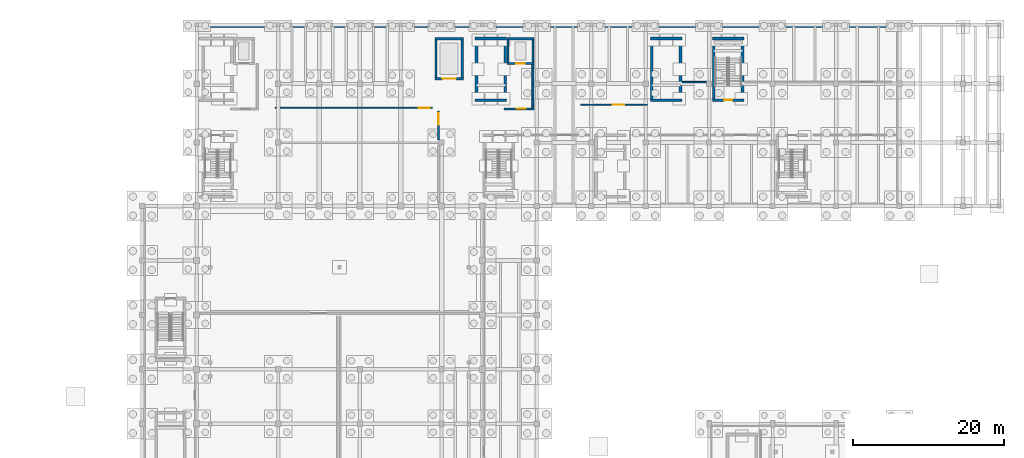
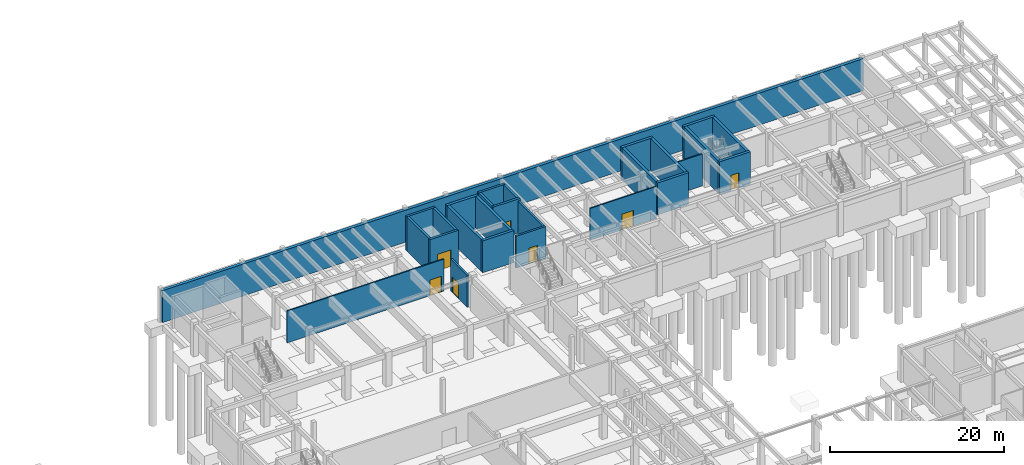
# One storey, part 30 of 46: 27 walls, 7 doors, 7 openings.
"""IFC4 building model written with IfcOpenShell, lengths in metres."""

from ifc_helpers import new_model, si_unit, direction, frame, frame_2d, origin, place, context, subcontext, project, spatial, rectangle, extrude, material, layer, layer_set, type_object, element, fill, save


model = new_model("IFC4")

# Units and contexts
model_context = context("Model", 3, precision=1e-05, world=origin(), true_north=direction((0.0, 1.0)))
body_context = subcontext(model_context, "Body", "Model", "MODEL_VIEW")
ifc_project = project(units=[si_unit("LENGTHUNIT", "METRE"), si_unit("AREAUNIT", "SQUARE_METRE"), si_unit("VOLUMEUNIT", "CUBIC_METRE"), si_unit("PLANEANGLEUNIT", "RADIAN"), si_unit("MASSUNIT", "GRAM", prefix="KILO")], contexts=[model_context])

# Site, building, storey
site_placement = place(None, origin())
site = spatial("IfcSite", under=ifc_project, at=site_placement, CompositionType="ELEMENT")
building_placement = place(site_placement, origin())
building = spatial("IfcBuilding", under=site, at=building_placement, Name="Tazoul Stagehouse", CompositionType="ELEMENT")
storey_placement = place(building_placement, frame((0.0, 0.0, -4.800048828125)))
storey = spatial("IfcBuildingStorey", under=building, at=storey_placement, Name="B1", CompositionType="ELEMENT", Elevation=-4.800048828125)

# Wall, opening, door
ifc_material_1 = material(Name="Gypsum Acoustic Partition", Category="gypsum")
ifc_layer_1 = layer(ifc_material_1, 0.25, Name="Gypsum Acoustic Partition")
ifc_layer_set_1 = layer_set([ifc_layer_1], Name="Gypsum Acoustic Partition")
wall_type_1 = type_object("IfcWallType", Name="Acoustic Hall Double-Stud Partition 250", PredefinedType="PARTITIONING", material=ifc_layer_set_1)
wall_1_placement = place(storey_placement, frame((89.60009765625, 100.39990234375, 0.0), z_axis=(0.0, 0.0, 1.0), x_axis=(0.0, -1.0, 0.0)))
wall_1 = element("IfcWall", 1, at=wall_1_placement, inside=storey, type_object=wall_type_1, Name="B1 Partition PW-250 (PW-RM-B1-004-E-S1)", PredefinedType="PARTITIONING", context=body_context, shape_type="SweptSolid", body=[
    extrude(rectangle(XDim=3.829833984375, YDim=0.25, at=frame_2d((1.9150390625, 0.0))), origin(), (0.0, 0.0, 1.0), 4.47998046875),
])
opening_1_placement = place(wall_1_placement, frame((0.35009765625, 0.0, 0.0)))
opening_1 = element("IfcOpeningElement", 2, at=opening_1_placement, cuts=wall_1, Name="Opening ID-13", PredefinedType="OPENING", context=body_context, shape_type="SweptSolid", body=[
    extrude(rectangle(XDim=1.5, YDim=2.199951171875, at=frame_2d((0.75, 1.10009765625))), frame((0.0, 0.14501953125, 0.0), z_axis=(0.0, -1.0, 0.0), x_axis=(1.0, 0.0, 0.0)), (0.0, 0.0, 1.0), 0.2900390625),
])
ifc_material_2 = material(Name="Acoustic Cedar Timber", Category="wood")
door_type_1 = type_object("IfcDoorType", Name="Plantroom Double Access Door 1500x2200", OperationType="DOUBLE_DOOR_SINGLE_SWING", PredefinedType="DOOR", material=ifc_material_2)
door_1_placement = place(opening_1_placement, origin())
door_1 = element("IfcDoor", 3, at=door_1_placement, inside=storey, type_object=door_type_1, Name="B1 Understage Hydraulic Trap Room Door", OperationType="DOUBLE_DOOR_SINGLE_SWING", OverallHeight=2.199951171875, OverallWidth=1.5, PredefinedType="DOOR", context=body_context, shape_type="SweptSolid", body=[
    extrude(rectangle(XDim=1.5, YDim=2.199951171875, at=frame_2d((0.75, 1.10009765625))), frame((0.0, 0.02490234375, 0.0), z_axis=(0.0, -1.0, 0.0), x_axis=(1.0, 0.0, 0.0)), (0.0, 0.0, 1.0), 0.050048828125),
])
fill(opening_1, door_1)

# Walls
ifc_material_3 = material(Name="Concrete C35/45", Category="concrete")
ifc_layer_2 = layer(ifc_material_3, 0.39990234375, Name="Concrete C35/45")
ifc_layer_set_2 = layer_set([ifc_layer_2], Name="Concrete C35/45")
wall_type_2 = type_object("IfcWallType", Name="Basement Waterproofed Retaining Wall 400", PredefinedType="SOLIDWALL", material=ifc_layer_set_2)
wall_2_placement = place(storey_placement, frame((57.60009765625, 111.60009765625, 0.0), z_axis=(0.0, 0.0, 1.0), x_axis=(1.0, 0.0, 0.0)))
element("IfcWall", 4, at=wall_2_placement, inside=storey, type_object=wall_type_2, Name="B1 Wall RW-400 (RW-B1-V23-N-S1)", PredefinedType="SOLIDWALL", context=body_context, shape_type="SweptSolid", body=[
    extrude(rectangle(XDim=93.0, YDim=0.39990234375, at=frame_2d((46.5, 0.0))), origin(), (0.0, 0.0, 1.0), 4.47998046875),
])
ifc_material_4 = material(Name="Concrete C40/50", Category="concrete")
ifc_layer_3 = layer(ifc_material_4, 0.35009765625, Name="Concrete C40/50")
ifc_layer_set_3 = layer_set([ifc_layer_3], Name="Concrete C40/50")
wall_type_3 = type_object("IfcWallType", Name="Core Shear Wall 350", PredefinedType="SOLIDWALL", material=ifc_layer_set_3)
wall_3_placement = place(storey_placement, frame((98.60009765625, 101.824951171875, 0.0), z_axis=(0.0, 0.0, 1.0), x_axis=(-1.0, 0.0, 0.0)))
element("IfcWall", 5, at=wall_3_placement, inside=storey, type_object=wall_type_3, Name="B1 Core Wall CW-350 (SHF-ST-01-south)", PredefinedType="SOLIDWALL", context=body_context, shape_type="SweptSolid", body=[
    extrude(rectangle(XDim=4.150146484375, YDim=0.35009765625, at=frame_2d((2.0751953125, 0.0))), origin(), (0.0, 0.0, 1.0), 4.47998046875),
])
wall_4_placement = place(storey_placement, frame((94.625, 102.0, 0.0), z_axis=(0.0, 0.0, 1.0), x_axis=(0.0, 1.0, 0.0)))
element("IfcWall", 6, at=wall_4_placement, inside=storey, type_object=wall_type_3, Name="B1 Core Wall CW-350 (SHF-ST-01-west)", PredefinedType="SOLIDWALL", context=body_context, shape_type="SweptSolid", body=[
    extrude(rectangle(XDim=7.800048828125, YDim=0.35009765625, at=frame_2d((3.89990234375, 0.0))), origin(), (0.0, 0.0, 1.0), 4.47998046875),
])
wall_5_placement = place(storey_placement, frame((94.449951171875, 109.97509765625, 0.0), z_axis=(0.0, 0.0, 1.0), x_axis=(1.0, 0.0, 0.0)))
element("IfcWall", 7, at=wall_5_placement, inside=storey, type_object=wall_type_3, Name="B1 Core Wall CW-350 (SHF-ST-01-north)", PredefinedType="SOLIDWALL", context=body_context, shape_type="SweptSolid", body=[
    extrude(rectangle(XDim=4.150146484375, YDim=0.35009765625, at=frame_2d((2.0751953125, 0.0))), origin(), (0.0, 0.0, 1.0), 4.47998046875),
])
wall_6_placement = place(storey_placement, frame((98.425048828125, 109.800048828125, 0.0), z_axis=(0.0, 0.0, 1.0), x_axis=(0.0, -1.0, 0.0)))
element("IfcWall", 8, at=wall_6_placement, inside=storey, type_object=wall_type_3, Name="B1 Core Wall CW-350 (SHF-ST-01-east)", PredefinedType="SOLIDWALL", context=body_context, shape_type="SweptSolid", body=[
    extrude(rectangle(XDim=7.800048828125, YDim=0.35009765625, at=frame_2d((3.89990234375, 0.0))), origin(), (0.0, 0.0, 1.0), 4.47998046875),
])
wall_7_placement = place(storey_placement, frame((121.800048828125, 101.824951171875, 0.0), z_axis=(0.0, 0.0, 1.0), x_axis=(-1.0, 0.0, 0.0)))
element("IfcWall", 9, at=wall_7_placement, inside=storey, type_object=wall_type_3, Name="B1 Core Wall CW-350 (SHF-ST-02-south)", PredefinedType="SOLIDWALL", context=body_context, shape_type="SweptSolid", body=[
    extrude(rectangle(XDim=4.150146484375, YDim=0.35009765625, at=frame_2d((2.0751953125, 0.0))), origin(), (0.0, 0.0, 1.0), 4.47998046875),
])
wall_8_placement = place(storey_placement, frame((117.824951171875, 102.0, 0.0), z_axis=(0.0, 0.0, 1.0), x_axis=(0.0, 1.0, 0.0)))
element("IfcWall", 10, at=wall_8_placement, inside=storey, type_object=wall_type_3, Name="B1 Core Wall CW-350 (SHF-ST-02-west)", PredefinedType="SOLIDWALL", context=body_context, shape_type="SweptSolid", body=[
    extrude(rectangle(XDim=7.800048828125, YDim=0.35009765625, at=frame_2d((3.89990234375, 0.0))), origin(), (0.0, 0.0, 1.0), 4.47998046875),
])
wall_9_placement = place(storey_placement, frame((117.64990234375, 109.97509765625, 0.0), z_axis=(0.0, 0.0, 1.0), x_axis=(1.0, 0.0, 0.0)))
element("IfcWall", 11, at=wall_9_placement, inside=storey, type_object=wall_type_3, Name="B1 Core Wall CW-350 (SHF-ST-02-north)", PredefinedType="SOLIDWALL", context=body_context, shape_type="SweptSolid", body=[
    extrude(rectangle(XDim=4.150146484375, YDim=0.35009765625, at=frame_2d((2.0751953125, 0.0))), origin(), (0.0, 0.0, 1.0), 4.47998046875),
])
wall_10_placement = place(storey_placement, frame((121.625, 109.800048828125, 0.0), z_axis=(0.0, 0.0, 1.0), x_axis=(0.0, -1.0, 0.0)))
element("IfcWall", 12, at=wall_10_placement, inside=storey, type_object=wall_type_3, Name="B1 Core Wall CW-350 (SHF-ST-02-east)", PredefinedType="SOLIDWALL", context=body_context, shape_type="SweptSolid", body=[
    extrude(rectangle(XDim=7.800048828125, YDim=0.35009765625, at=frame_2d((3.89990234375, 0.0))), origin(), (0.0, 0.0, 1.0), 4.47998046875),
])

# Wall, opening, door
wall_11_placement = place(storey_placement, frame((130.0, 101.824951171875, 0.0), z_axis=(0.0, 0.0, 1.0), x_axis=(-1.0, 0.0, 0.0)))
wall_11 = element("IfcWall", 13, at=wall_11_placement, inside=storey, type_object=wall_type_3, Name="B1 Core Wall CW-350 (SHF-ST-B2-south)", PredefinedType="SOLIDWALL", context=body_context, shape_type="SweptSolid", body=[
    extrude(rectangle(XDim=4.14990234375, YDim=0.35009765625, at=frame_2d((2.074951171875, 0.0))), origin(), (0.0, 0.0, 1.0), 4.56005859375),
])
opening_2_placement = place(wall_11_placement, frame((1.52490234375, 0.0, 0.0)))
opening_2 = element("IfcOpeningElement", 14, at=opening_2_placement, cuts=wall_11, Name="Opening FD-01", PredefinedType="OPENING", context=body_context, shape_type="SweptSolid", body=[
    extrude(rectangle(XDim=1.10009765625, YDim=2.14990234375, at=frame_2d((0.550048828125, 1.074951171875))), frame((0.0, 0.195068359375, 0.0), z_axis=(0.0, -1.0, 0.0), x_axis=(1.0, 0.0, 0.0)), (0.0, 0.0, 1.0), 0.39013671875),
])
ifc_material_5 = material(Name="Powder-Coated Galvanised Acoustic Steel", Category="steel")
door_type_2 = type_object("IfcDoorType", Name="Core Escape Stair Fire Door 1100x2150", OperationType="NOTDEFINED", PredefinedType="DOOR", material=ifc_material_5)
door_2_placement = place(opening_2_placement, origin())
door_2 = element("IfcDoor", 15, at=door_2_placement, inside=storey, type_object=door_type_2, Name="B1 Basement Stair Fire Door FD-01 (ST-B2)", OperationType="SINGLE_SWING_LEFT", OverallHeight=2.14990234375, OverallWidth=1.10009765625, PredefinedType="DOOR", context=body_context, shape_type="SweptSolid", body=[
    extrude(rectangle(XDim=1.10009765625, YDim=2.14990234375, at=frame_2d((0.550048828125, 1.074951171875))), frame((0.0, 0.02490234375, 0.0), z_axis=(0.0, -1.0, 0.0), x_axis=(1.0, 0.0, 0.0)), (0.0, 0.0, 1.0), 0.050048828125),
])
fill(opening_2, door_2)

# Walls
wall_12_placement = place(storey_placement, frame((126.02490234375, 102.0, 0.0), z_axis=(0.0, 0.0, 1.0), x_axis=(0.0, 1.0, 0.0)))
element("IfcWall", 16, at=wall_12_placement, inside=storey, type_object=wall_type_3, Name="B1 Core Wall CW-350 (SHF-ST-B2-west)", PredefinedType="SOLIDWALL", context=body_context, shape_type="SweptSolid", body=[
    extrude(rectangle(XDim=7.800048828125, YDim=0.35009765625, at=frame_2d((3.89990234375, 0.0))), origin(), (0.0, 0.0, 1.0), 4.56005859375),
])
wall_13_placement = place(storey_placement, frame((125.85009765625, 109.97509765625, 0.0), z_axis=(0.0, 0.0, 1.0), x_axis=(1.0, 0.0, 0.0)))
element("IfcWall", 17, at=wall_13_placement, inside=storey, type_object=wall_type_3, Name="B1 Core Wall CW-350 (SHF-ST-B2-north)", PredefinedType="SOLIDWALL", context=body_context, shape_type="SweptSolid", body=[
    extrude(rectangle(XDim=4.14990234375, YDim=0.35009765625, at=frame_2d((2.074951171875, 0.0))), origin(), (0.0, 0.0, 1.0), 4.56005859375),
])
wall_14_placement = place(storey_placement, frame((129.824951171875, 109.800048828125, 0.0), z_axis=(0.0, 0.0, 1.0), x_axis=(0.0, -1.0, 0.0)))
element("IfcWall", 18, at=wall_14_placement, inside=storey, type_object=wall_type_3, Name="B1 Core Wall CW-350 (SHF-ST-B2-east)", PredefinedType="SOLIDWALL", context=body_context, shape_type="SweptSolid", body=[
    extrude(rectangle(XDim=7.800048828125, YDim=0.35009765625, at=frame_2d((3.89990234375, 0.0))), origin(), (0.0, 0.0, 1.0), 4.56005859375),
])

# Wall, opening, door
ifc_layer_4 = layer(ifc_material_1, 0.169921875, Name="Gypsum Acoustic Partition")
ifc_layer_set_4 = layer_set([ifc_layer_4], Name="Gypsum Acoustic Partition")
wall_type_4 = type_object("IfcWallType", Name="Corridor Fire-Rated Partition 170", PredefinedType="PARTITIONING", material=ifc_layer_set_4)
wall_15_placement = place(storey_placement, frame((117.199951171875, 101.199951171875, 0.0), z_axis=(0.0, 0.0, 1.0), x_axis=(-1.0, 0.0, 0.0)))
wall_15 = element("IfcWall", 19, at=wall_15_placement, inside=storey, type_object=wall_type_4, Name="B1 Partition PW-170 (PW-RM-B1-008-S)", PredefinedType="PARTITIONING", context=body_context, shape_type="SweptSolid", body=[
    extrude(rectangle(XDim=8.800048828125, YDim=0.169921875, at=frame_2d((4.39990234375, 0.0))), origin(), (0.0, 0.0, 1.0), 4.47998046875),
])
opening_3_placement = place(wall_15_placement, frame((3.038818359375, 0.0, 0.0)))
opening_3 = element("IfcOpeningElement", 20, at=opening_3_placement, cuts=wall_15, Name="Opening ID-13", PredefinedType="OPENING", context=body_context, shape_type="SweptSolid", body=[
    extrude(rectangle(XDim=1.5, YDim=2.199951171875, at=frame_2d((0.75, 1.10009765625))), frame((0.0, 0.10498046875, 0.0), z_axis=(0.0, -1.0, 0.0), x_axis=(1.0, 0.0, 0.0)), (0.0, 0.0, 1.0), 0.2099609375),
])
door_3_placement = place(opening_3_placement, origin())
door_3 = element("IfcDoor", 21, at=door_3_placement, inside=storey, type_object=door_type_1, Name="B1 Repertory Scenery Container Store Door", OperationType="DOUBLE_DOOR_SINGLE_SWING", OverallHeight=2.199951171875, OverallWidth=1.5, PredefinedType="DOOR", context=body_context, shape_type="SweptSolid", body=[
    extrude(rectangle(XDim=1.5, YDim=2.199951171875, at=frame_2d((0.75, 1.10009765625))), frame((0.0, 0.02490234375, 0.0), z_axis=(0.0, -1.0, 0.0), x_axis=(1.0, 0.0, 0.0)), (0.0, 0.0, 1.0), 0.050048828125),
])
fill(opening_3, door_3)

wall_16_placement = place(storey_placement, frame((88.800048828125, 100.800048828125, 0.0), z_axis=(0.0, 0.0, 1.0), x_axis=(-1.0, 0.0, 0.0)))
wall_16 = element("IfcWall", 22, at=wall_16_placement, inside=storey, type_object=wall_type_4, Name="B1 Partition PW-170 (PW-RM-B1-098-S)", PredefinedType="PARTITIONING", context=body_context, shape_type="SweptSolid", body=[
    extrude(rectangle(XDim=20.800048828125, YDim=0.169921875, at=frame_2d((10.39990234375, 0.0))), origin(), (0.0, 0.0, 1.0), 4.47998046875),
])
opening_4_placement = place(wall_16_placement, frame((0.35009765625, 0.0, 0.0)))
opening_4 = element("IfcOpeningElement", 23, at=opening_4_placement, cuts=wall_16, Name="Opening ID-13", PredefinedType="OPENING", context=body_context, shape_type="SweptSolid", body=[
    extrude(rectangle(XDim=1.5, YDim=2.199951171875, at=frame_2d((0.75, 1.10009765625))), frame((0.0, 0.10498046875, 0.0), z_axis=(0.0, -1.0, 0.0), x_axis=(1.0, 0.0, 0.0)), (0.0, 0.0, 1.0), 0.2099609375),
])
door_4_placement = place(opening_4_placement, origin())
door_4 = element("IfcDoor", 24, at=door_4_placement, inside=storey, type_object=door_type_1, Name="B1 Stage Wagon and Revolving Turntable Pit Door", OperationType="DOUBLE_DOOR_SINGLE_SWING", OverallHeight=2.199951171875, OverallWidth=1.5, PredefinedType="DOOR", context=body_context, shape_type="SweptSolid", body=[
    extrude(rectangle(XDim=1.5, YDim=2.199951171875, at=frame_2d((0.75, 1.10009765625))), frame((0.0, 0.02490234375, 0.0), z_axis=(0.0, -1.0, 0.0), x_axis=(1.0, 0.0, 0.0)), (0.0, 0.0, 1.0), 0.050048828125),
])
fill(opening_4, door_4)

# Wall
wall_17_placement = place(storey_placement, frame((125.030029296875, 104.199951171875, 0.0), z_axis=(0.0, 0.0, 1.0), x_axis=(-1.0, 0.0, 0.0)))
element("IfcWall", 25, at=wall_17_placement, inside=storey, type_object=wall_type_4, Name="B1 Partition PW-170 (PW-RM-B1-099-S-S4)", PredefinedType="PARTITIONING", context=body_context, shape_type="SweptSolid", body=[
    extrude(rectangle(XDim=3.18994140625, YDim=0.169921875, at=frame_2d((1.594970703125, 0.0))), origin(), (0.0, 0.0, 1.0), 4.47998046875),
])

# Wall, opening, door
ifc_layer_5 = layer(ifc_material_4, 0.260009765625, Name="Concrete C40/50")
ifc_layer_set_5 = layer_set([ifc_layer_5], Name="Concrete C40/50")
wall_type_5 = type_object("IfcWallType", Name="Firefighting Lobby Wall 260", PredefinedType="SOLIDWALL", material=ifc_layer_set_5)
wall_18_placement = place(storey_placement, frame((102.2099609375, 100.669921875, 0.0), z_axis=(0.0, 0.0, 1.0), x_axis=(-1.0, 0.0, 0.0)))
wall_18 = element("IfcWall", 26, at=wall_18_placement, inside=storey, type_object=wall_type_5, Name="B1 Firefighting Lobby Wall CW-260 (C1-S)", PredefinedType="SOLIDWALL", context=body_context, shape_type="SweptSolid", body=[
    extrude(rectangle(XDim=3.9599609375, YDim=0.260009765625, at=frame_2d((1.97998046875, 0.0))), origin(), (0.0, 0.0, 1.0), 4.47998046875),
])
opening_5_placement = place(wall_18_placement, frame((1.10009765625, 0.0, 0.0)))
opening_5 = element("IfcOpeningElement", 27, at=opening_5_placement, cuts=wall_18, Name="Opening FD-02", PredefinedType="OPENING", context=body_context, shape_type="SweptSolid", body=[
    extrude(rectangle(XDim=1.14990234375, YDim=2.199951171875, at=frame_2d((0.574951171875, 1.10009765625))), frame((0.0, 0.14990234375, 0.0), z_axis=(0.0, -1.0, 0.0), x_axis=(1.0, 0.0, 0.0)), (0.0, 0.0, 1.0), 0.300048828125),
])
door_type_3 = type_object("IfcDoorType", Name="Firefighting Lobby Fire Door 1150x2200", OperationType="NOTDEFINED", PredefinedType="DOOR", material=ifc_material_5)
door_5_placement = place(opening_5_placement, origin())
door_5 = element("IfcDoor", 28, at=door_5_placement, inside=storey, type_object=door_type_3, Name="B1 Firefighting Lobby Door FD-02 (C1)", OperationType="SINGLE_SWING_RIGHT", OverallHeight=2.199951171875, OverallWidth=1.14990234375, PredefinedType="DOOR", context=body_context, shape_type="SweptSolid", body=[
    extrude(rectangle(XDim=1.14990234375, YDim=2.199951171875, at=frame_2d((0.574951171875, 1.10009765625))), frame((0.0, 0.02490234375, 0.0), z_axis=(0.0, -1.0, 0.0), x_axis=(1.0, 0.0, 0.0)), (0.0, 0.0, 1.0), 0.050048828125),
])
fill(opening_5, door_5)

# Wall
wall_19_placement = place(storey_placement, frame((102.080078125, 106.64990234375, 0.0), z_axis=(0.0, 0.0, 1.0), x_axis=(0.0, -1.0, 0.0)))
element("IfcWall", 29, at=wall_19_placement, inside=storey, type_object=wall_type_5, Name="B1 Firefighting Lobby Wall CW-260 (C1-E)", PredefinedType="SOLIDWALL", context=body_context, shape_type="SweptSolid", body=[
    extrude(rectangle(XDim=5.849853515625, YDim=0.260009765625, at=frame_2d((2.9248046875, 0.0))), origin(), (0.0, 0.0, 1.0), 4.47998046875),
])

# Wall, opening, door
ifc_layer_6 = layer(ifc_material_4, 0.300048828125, Name="Concrete C40/50")
ifc_layer_set_6 = layer_set([ifc_layer_6], Name="Concrete C40/50")
wall_type_6 = type_object("IfcWallType", Name="Lift Shaft Wall 300", PredefinedType="SOLIDWALL", material=ifc_layer_set_6)
wall_20_placement = place(storey_placement, frame((102.25, 106.64990234375, 0.0), z_axis=(0.0, 0.0, 1.0), x_axis=(-1.0, 0.0, 0.0)))
wall_20 = element("IfcWall", 30, at=wall_20_placement, inside=storey, type_object=wall_type_6, Name="B1 Core Wall CW-300 (LSHF-FFL-01-south)", PredefinedType="SOLIDWALL", context=body_context, shape_type="SweptSolid", body=[
    extrude(rectangle(XDim=3.60009765625, YDim=0.300048828125, at=frame_2d((1.800048828125, 0.0))), origin(), (0.0, 0.0, 1.0), 4.800048828125),
])
opening_6_placement = place(wall_20_placement, frame((1.25, 0.0, 0.0)))
opening_6 = element("IfcOpeningElement", 31, at=opening_6_placement, cuts=wall_20, Name="Opening LD-01", PredefinedType="OPENING", context=body_context, shape_type="SweptSolid", body=[
    extrude(rectangle(XDim=1.10009765625, YDim=2.10009765625, at=frame_2d((0.550048828125, 1.050048828125))), frame((0.0, 0.169921875, 0.0), z_axis=(0.0, -1.0, 0.0), x_axis=(1.0, 0.0, 0.0)), (0.0, 0.0, 1.0), 0.340087890625),
])
door_type_4 = type_object("IfcDoorType", Name="Firefighter Lift Sliding Landing Door 1100x2100", OperationType="DOUBLE_DOOR_SLIDING", PredefinedType="DOOR", material=ifc_material_5)
door_6_placement = place(opening_6_placement, origin())
door_6 = element("IfcDoor", 32, at=door_6_placement, inside=storey, type_object=door_type_4, Name="B1 Lift Landing Sliding Door LD-01 (FFL-01)", OperationType="DOUBLE_DOOR_SLIDING", OverallHeight=2.10009765625, OverallWidth=1.10009765625, PredefinedType="DOOR", context=body_context, shape_type="SweptSolid", body=[
    extrude(rectangle(XDim=1.10009765625, YDim=2.10009765625, at=frame_2d((0.550048828125, 1.050048828125))), frame((0.0, 0.02490234375, 0.0), z_axis=(0.0, -1.0, 0.0), x_axis=(1.0, 0.0, 0.0)), (0.0, 0.0, 1.0), 0.050048828125),
])
fill(opening_6, door_6)

# Walls
wall_21_placement = place(storey_placement, frame((98.800048828125, 106.800048828125, 0.0), z_axis=(0.0, 0.0, 1.0), x_axis=(0.0, 1.0, 0.0)))
element("IfcWall", 33, at=wall_21_placement, inside=storey, type_object=wall_type_6, Name="B1 Core Wall CW-300 (LSHF-FFL-01-west)", PredefinedType="SOLIDWALL", context=body_context, shape_type="SweptSolid", body=[
    extrude(rectangle(XDim=3.0, YDim=0.300048828125, at=frame_2d((1.5, 0.0))), origin(), (0.0, 0.0, 1.0), 4.800048828125),
])
wall_22_placement = place(storey_placement, frame((98.64990234375, 109.949951171875, 0.0), z_axis=(0.0, 0.0, 1.0), x_axis=(1.0, 0.0, 0.0)))
element("IfcWall", 34, at=wall_22_placement, inside=storey, type_object=wall_type_6, Name="B1 Core Wall CW-300 (LSHF-FFL-01-north)", PredefinedType="SOLIDWALL", context=body_context, shape_type="SweptSolid", body=[
    extrude(rectangle(XDim=3.570068359375, YDim=0.300048828125, at=frame_2d((1.78515625, 0.0))), origin(), (0.0, 0.0, 1.0), 4.800048828125),
])
wall_23_placement = place(storey_placement, frame((102.10009765625, 109.800048828125, 0.0), z_axis=(0.0, 0.0, 1.0), x_axis=(0.0, -1.0, 0.0)))
element("IfcWall", 35, at=wall_23_placement, inside=storey, type_object=wall_type_6, Name="B1 Core Wall CW-300 (LSHF-FFL-01-east)", PredefinedType="SOLIDWALL", context=body_context, shape_type="SweptSolid", body=[
    extrude(rectangle(XDim=3.0, YDim=0.300048828125, at=frame_2d((1.5, 0.0))), origin(), (0.0, 0.0, 1.0), 4.800048828125),
])

# Wall, opening, door
wall_24_placement = place(storey_placement, frame((92.89990234375, 104.64990234375, 0.0), z_axis=(0.0, 0.0, 1.0), x_axis=(-1.0, 0.0, 0.0)))
wall_24 = element("IfcWall", 36, at=wall_24_placement, inside=storey, type_object=wall_type_6, Name="B1 Core Wall CW-300 (LSHF-GL-01-south)", PredefinedType="SOLIDWALL", context=body_context, shape_type="SweptSolid", body=[
    extrude(rectangle(XDim=3.7998046875, YDim=0.300048828125, at=frame_2d((1.89990234375, 0.0))), origin(), (0.0, 0.0, 1.0), 4.800048828125),
])
opening_7_placement = place(wall_24_placement, frame((1.0, 0.0, 0.0)))
opening_7 = element("IfcOpeningElement", 37, at=opening_7_placement, cuts=wall_24, Name="Opening LD-07", PredefinedType="OPENING", context=body_context, shape_type="SweptSolid", body=[
    extrude(rectangle(XDim=1.800048828125, YDim=2.39990234375, at=frame_2d((0.89990234375, 1.199951171875))), frame((0.0, 0.169921875, 0.0), z_axis=(0.0, -1.0, 0.0), x_axis=(1.0, 0.0, 0.0)), (0.0, 0.0, 1.0), 0.340087890625),
])
door_type_5 = type_object("IfcDoorType", Name="Scenery Goods Lift Sliding Door 1800x2400", OperationType="DOUBLE_DOOR_SLIDING", PredefinedType="DOOR", material=ifc_material_5)
door_7_placement = place(opening_7_placement, origin())
door_7 = element("IfcDoor", 38, at=door_7_placement, inside=storey, type_object=door_type_5, Name="B1 Lift Landing Sliding Door LD-07 (GL-01)", OperationType="DOUBLE_DOOR_SLIDING", OverallHeight=2.39990234375, OverallWidth=1.800048828125, PredefinedType="DOOR", context=body_context, shape_type="SweptSolid", body=[
    extrude(rectangle(XDim=1.800048828125, YDim=2.39990234375, at=frame_2d((0.89990234375, 1.199951171875))), frame((0.0, 0.02490234375, 0.0), z_axis=(0.0, -1.0, 0.0), x_axis=(1.0, 0.0, 0.0)), (0.0, 0.0, 1.0), 0.050048828125),
])
fill(opening_7, door_7)

# Walls
wall_25_placement = place(storey_placement, frame((89.25, 104.800048828125, 0.0), z_axis=(0.0, 0.0, 1.0), x_axis=(0.0, 1.0, 0.0)))
element("IfcWall", 39, at=wall_25_placement, inside=storey, type_object=wall_type_6, Name="B1 Core Wall CW-300 (LSHF-GL-01-west)", PredefinedType="SOLIDWALL", context=body_context, shape_type="SweptSolid", body=[
    extrude(rectangle(XDim=5.0, YDim=0.300048828125, at=frame_2d((2.5, 0.0))), origin(), (0.0, 0.0, 1.0), 4.800048828125),
])
wall_26_placement = place(storey_placement, frame((89.10009765625, 109.949951171875, 0.0), z_axis=(0.0, 0.0, 1.0), x_axis=(1.0, 0.0, 0.0)))
element("IfcWall", 40, at=wall_26_placement, inside=storey, type_object=wall_type_6, Name="B1 Core Wall CW-300 (LSHF-GL-01-north)", PredefinedType="SOLIDWALL", context=body_context, shape_type="SweptSolid", body=[
    extrude(rectangle(XDim=3.7998046875, YDim=0.300048828125, at=frame_2d((1.89990234375, 0.0))), origin(), (0.0, 0.0, 1.0), 4.800048828125),
])
wall_27_placement = place(storey_placement, frame((92.75, 109.800048828125, 0.0), z_axis=(0.0, 0.0, 1.0), x_axis=(0.0, -1.0, 0.0)))
element("IfcWall", 41, at=wall_27_placement, inside=storey, type_object=wall_type_6, Name="B1 Core Wall CW-300 (LSHF-GL-01-east)", PredefinedType="SOLIDWALL", context=body_context, shape_type="SweptSolid", body=[
    extrude(rectangle(XDim=5.0, YDim=0.300048828125, at=frame_2d((2.5, 0.0))), origin(), (0.0, 0.0, 1.0), 4.800048828125),
])

save(model, "model.ifc")
